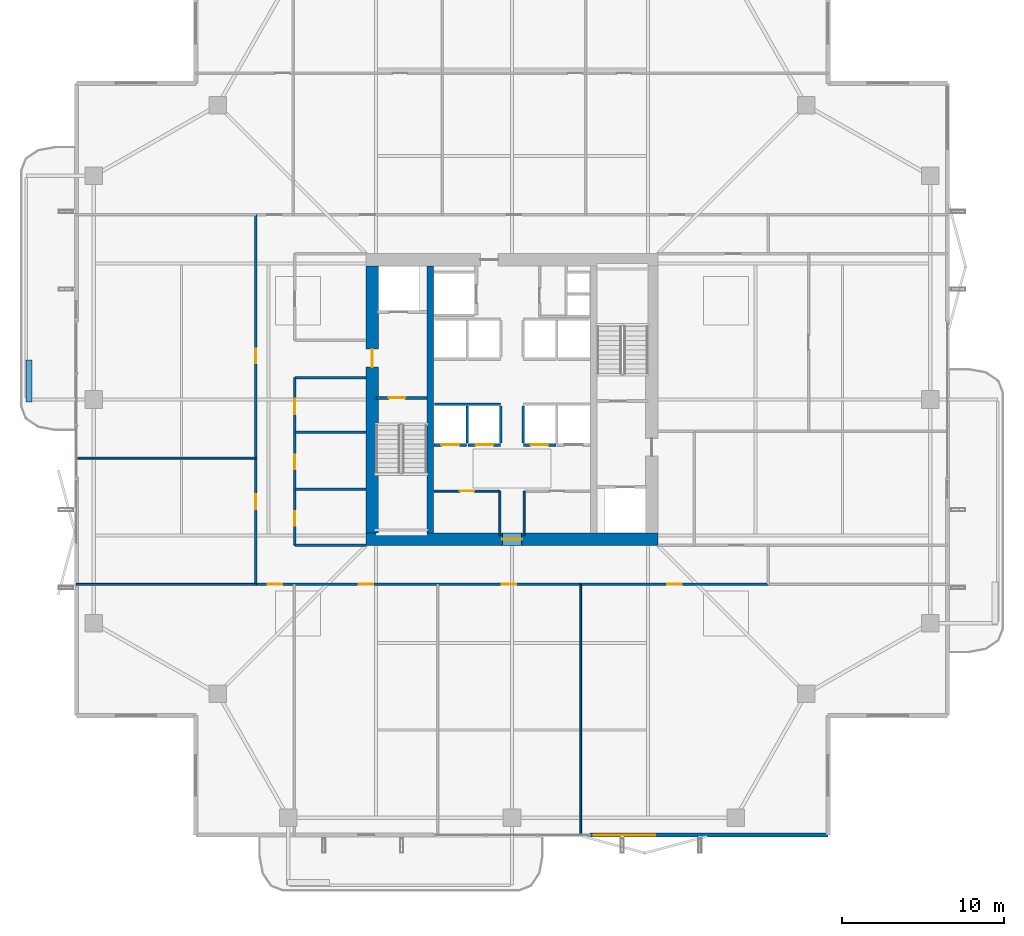
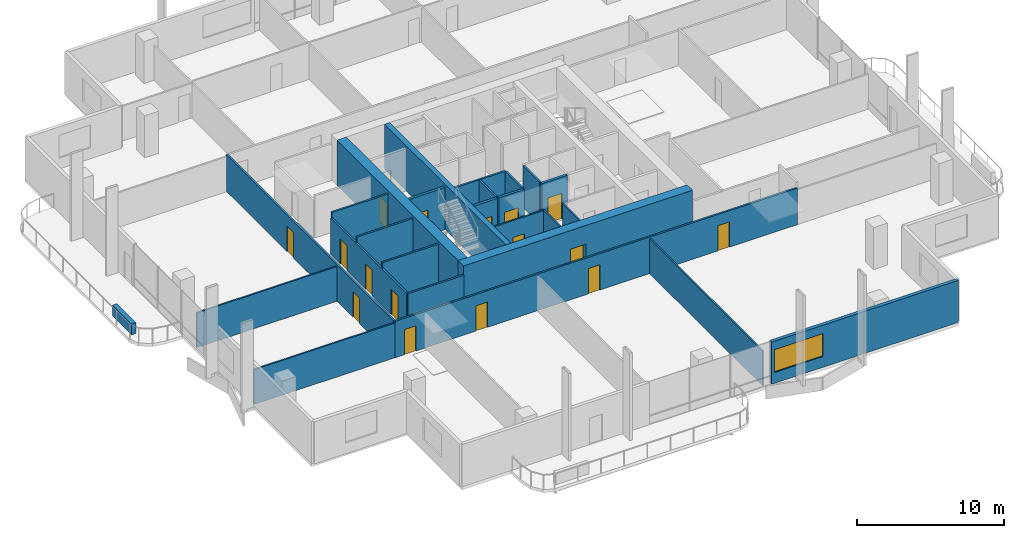
# One storey, part 17 of 24: 26 walls, 16 doors, 1 window, 17 openings.
"""IFC4 building model written with IfcOpenShell, lengths in metres."""

from ifc_helpers import new_model, si_unit, direction, frame, frame_2d, origin, place, context, subcontext, project, spatial, rectangle, extrude, material, layer, layer_set, type_object, element, fill, save


model = new_model("IFC4")

# Units and contexts
model_context = context("Model", 3, precision=1e-05, world=origin(), true_north=direction((0.0, 1.0)))
body_context = subcontext(model_context, "Body", "Model", "MODEL_VIEW")
ifc_project = project(units=[si_unit("LENGTHUNIT", "METRE"), si_unit("AREAUNIT", "SQUARE_METRE"), si_unit("VOLUMEUNIT", "CUBIC_METRE"), si_unit("PLANEANGLEUNIT", "RADIAN"), si_unit("MASSUNIT", "GRAM", prefix="KILO")], contexts=[model_context])

# Site, building, storey
site_placement = place(None, origin())
site = spatial("IfcSite", under=ifc_project, at=site_placement, CompositionType="ELEMENT")
building_placement = place(site_placement, origin())
building = spatial("IfcBuilding", under=site, at=building_placement, Name="Belovzor Exchange Tower", CompositionType="ELEMENT")
storey_placement = place(building_placement, frame((0.0, 0.0, 218.699951171875)))
storey = spatial("IfcBuildingStorey", under=building, at=storey_placement, Name="L54", CompositionType="ELEMENT", Elevation=218.699951171875)

# Walls
ifc_material_1 = material(Name="Acoustic Plasterboard on Galvanised Studs", Category="gypsum")
ifc_layer_1 = layer(ifc_material_1, 0.1201171875)
ifc_layer_set_1 = layer_set([ifc_layer_1], Name="Acoustic Plasterboard on Galvanised Studs")
wall_type_1 = type_object("IfcWallType", Name="Acoustic Double-Stud Partition Wall 120", PredefinedType="PARTITIONING", material=ifc_layer_set_1)
wall_1_placement = place(storey_placement, frame((33.0400390625, 1.929931640625, 0.0), z_axis=(0.0, 0.0, 1.0), x_axis=(0.0, 1.0, 0.0)))
element("IfcWall", 1, at=wall_1_placement, inside=storey, type_object=wall_type_1, Name="W-P120 Partition Wall W-L54-SDIV-3", PredefinedType="PARTITIONING", context=body_context, shape_type="SweptSolid", body=[
    extrude(rectangle(XDim=15.469970703125, YDim=0.1201171875, at=frame_2d((7.73486328125, 0.0))), origin(), (0.0, 0.0, 1.0), 2.885009765625),
])
for number, where, z_axis, x_axis, name in (
    (2, (1.929931640625, 25.181884765625, 0.0), (0.0, 0.0, 1.0), (1.0, 0.0, 0.0), "W-P120 Partition Wall W-L54-WDIV-1"),
    (3, (1.929931640625, 17.39990234375, 0.0), (0.0, 0.0, 1.0), (1.0, 0.0, 0.0), "W-P120 Partition Wall W-L54-END-SW"),
):
    element("IfcWall", number, at=place(storey_placement, frame(where, z_axis=z_axis, x_axis=x_axis)), inside=storey, type_object=wall_type_1, Name=name, PredefinedType="PARTITIONING", context=body_context, shape_type="SweptSolid", body=[
        extrude(rectangle(XDim=11.070068359375, YDim=0.1201171875, at=frame_2d((5.53515625, 0.0))), origin(), (0.0, 0.0, 1.0), 2.885009765625),
    ])

# Wall, opening, door
ifc_material_2 = material(Name="Fire-Rated Plasterboard on Galvanised Studs", Category="gypsum")
ifc_layer_2 = layer(ifc_material_2, 0.1201171875)
ifc_layer_set_2 = layer_set([ifc_layer_2], Name="Fire-Rated Plasterboard on Galvanised Studs")
wall_type_2 = type_object("IfcWallType", Name="Fire-Rated Double-Stud Partition Wall 120", PredefinedType="PARTITIONING", material=ifc_layer_set_2)
wall_2_placement = place(storey_placement, frame((24.0, 23.14990234375, 0.0), z_axis=(0.0, 0.0, 1.0), x_axis=(1.0, 0.0, 0.0)))
wall_2 = element("IfcWall", 4, at=wall_2_placement, inside=storey, type_object=wall_type_2, Name="W-P120F Partition Wall W-CRL-L54-WN", PredefinedType="PARTITIONING", context=body_context, shape_type="SweptSolid", body=[
    extrude(rectangle(XDim=4.050048828125, YDim=0.1201171875, at=frame_2d((2.02490234375, 0.0))), origin(), (0.0, 0.0, 1.0), 3.5),
])
opening_1_placement = place(wall_2_placement, frame((1.574951171875, 0.0, 0.0)))
opening_1 = element("IfcOpeningElement", 5, at=opening_1_placement, cuts=wall_2, Name="Opening D-FD60-090", PredefinedType="OPENING", context=body_context, shape_type="SweptSolid", body=[
    extrude(rectangle(XDim=0.89990234375, YDim=2.10009765625, at=frame_2d((0.449951171875, 1.050048828125))), frame((0.0, 0.070068359375, 0.0), z_axis=(0.0, -1.0, 0.0), x_axis=(1.0, 0.0, 0.0)), (0.0, 0.0, 1.0), 0.14013671875),
])
ifc_material_3 = material(Name="Acoustic Timber Fire Leaf", Category="wood")
door_type_1 = type_object("IfcDoorType", Name="Core Service & Restroom Fire Door 900x2100", OperationType="NOTDEFINED", PredefinedType="DOOR", material=ifc_material_3)
door_1_placement = place(opening_1_placement, origin())
door_1 = element("IfcDoor", 6, at=door_1_placement, inside=storey, type_object=door_type_1, Name="D-FD60-090 Core Service & Restroom Fire Door 900x2100", OperationType="SINGLE_SWING_LEFT", OverallHeight=2.10009765625, OverallWidth=0.89990234375, PredefinedType="DOOR", context=body_context, shape_type="SweptSolid", body=[
    extrude(rectangle(XDim=0.89990234375, YDim=2.10009765625, at=frame_2d((0.449951171875, 1.050048828125))), frame((0.0, 0.02490234375, 0.0), z_axis=(0.0, -1.0, 0.0), x_axis=(1.0, 0.0, 0.0)), (0.0, 0.0, 1.0), 0.050048828125),
])
fill(opening_1, door_1)

# Walls
for number, where, z_axis, x_axis, name in (
    (7, (28.050048828125, 20.39990234375, 0.0), (0.0, 0.0, 1.0), (0.0, 1.0, 0.0), "W-P120F Partition Wall W-CRL-L54-WE"),
    (8, (29.550048828125, 20.39990234375, 0.0), (0.0, 0.0, 1.0), (0.0, 1.0, 0.0), "W-P120F Partition Wall W-CRL-L54-EW"),
):
    element("IfcWall", number, at=place(storey_placement, frame(where, z_axis=z_axis, x_axis=x_axis)), inside=storey, type_object=wall_type_2, Name=name, PredefinedType="PARTITIONING", context=body_context, shape_type="SweptSolid", body=[
        extrude(rectangle(XDim=2.75, YDim=0.1201171875, at=frame_2d((1.375, 0.0))), origin(), (0.0, 0.0, 1.0), 3.5),
    ])
ifc_material_4 = material(Name="Fire-Rated Gypsum Block and Mineral Wool", Category="gypsum")
ifc_layer_3 = layer(ifc_material_4, 0.14990234375)
ifc_layer_set_3 = layer_set([ifc_layer_3], Name="Fire-Rated Gypsum Block and Mineral Wool")
wall_type_3 = type_object("IfcWallType", Name="Fire-Rated Gypsum Block Corridor Wall 150", PredefinedType="PARTITIONING", material=ifc_layer_set_3)
wall_3_placement = place(storey_placement, frame((15.39990234375, 19.800048828125, 0.0), z_axis=(0.0, 0.0, 1.0), x_axis=(1.0, 0.0, 0.0)))
element("IfcWall", 9, at=wall_3_placement, inside=storey, type_object=wall_type_3, Name="W-P150 Partition Wall W-L54-WIC-S", PredefinedType="PARTITIONING", context=body_context, shape_type="SweptSolid", body=[
    extrude(rectangle(XDim=4.400146484375, YDim=0.14990234375, at=frame_2d((2.2001953125, 0.0))), origin(), (0.0, 0.0, 1.0), 3.03515625),
])
for number, where, z_axis, x_axis, name in (
    (10, (15.39990234375, 23.27490234375, 0.0), (0.0, 0.0, 1.0), (1.0, 0.0, 0.0), "W-P150 Partition Wall W-L54-WIC-D1"),
    (11, (15.39990234375, 26.77490234375, 0.0), (0.0, 0.0, 1.0), (1.0, 0.0, 0.0), "W-P150 Partition Wall W-L54-WIC-D2"),
    (12, (15.39990234375, 30.14990234375, 0.0), (0.0, 0.0, 1.0), (1.0, 0.0, 0.0), "W-P150 Partition Wall W-L54-WIC-N"),
):
    element("IfcWall", number, at=place(storey_placement, frame(where, z_axis=z_axis, x_axis=x_axis)), inside=storey, type_object=wall_type_3, Name=name, PredefinedType="PARTITIONING", context=body_context, shape_type="SweptSolid", body=[
        extrude(rectangle(XDim=4.400146484375, YDim=0.14990234375, at=frame_2d((2.2001953125, 0.0))), origin(), (0.0, 0.0, 1.0), 3.5),
    ])

# Wall, openings, doors
wall_4_placement = place(storey_placement, frame((15.39990234375, 19.800048828125, 0.0), z_axis=(0.0, 0.0, 1.0), x_axis=(0.0, 1.0, 0.0)))
wall_4 = element("IfcWall", 13, at=wall_4_placement, inside=storey, type_object=wall_type_3, Name="W-P150 Partition Wall W-L54-WIE-S", PredefinedType="PARTITIONING", context=body_context, shape_type="SweptSolid", body=[
    extrude(rectangle(XDim=10.349853515625, YDim=0.14990234375, at=frame_2d((5.1748046875, 0.0))), origin(), (0.0, 0.0, 1.0), 3.03515625),
])
opening_2_placement = place(wall_4_placement, frame((1.199951171875, 0.0, 0.0)))
opening_2 = element("IfcOpeningElement", 14, at=opening_2_placement, cuts=wall_4, Name="Opening D-FD60-090", PredefinedType="OPENING", context=body_context, shape_type="SweptSolid", body=[
    extrude(rectangle(XDim=0.89990234375, YDim=2.10009765625, at=frame_2d((0.449951171875, 1.050048828125))), frame((0.0, 0.0849609375, 0.0), z_axis=(0.0, -1.0, 0.0), x_axis=(1.0, 0.0, 0.0)), (0.0, 0.0, 1.0), 0.169921875),
])
opening_3_placement = place(wall_4_placement, frame((4.699951171875, 0.0, 0.0)))
opening_3 = element("IfcOpeningElement", 15, at=opening_3_placement, cuts=wall_4, Name="Opening D-FD60-090", PredefinedType="OPENING", context=body_context, shape_type="SweptSolid", body=[
    extrude(rectangle(XDim=0.89990234375, YDim=2.10009765625, at=frame_2d((0.449951171875, 1.050048828125))), frame((0.0, 0.0849609375, 0.0), z_axis=(0.0, -1.0, 0.0), x_axis=(1.0, 0.0, 0.0)), (0.0, 0.0, 1.0), 0.169921875),
])
opening_4_placement = place(wall_4_placement, frame((8.10009765625, 0.0, 0.0)))
opening_4 = element("IfcOpeningElement", 16, at=opening_4_placement, cuts=wall_4, Name="Opening D-FD60-095", PredefinedType="OPENING", context=body_context, shape_type="SweptSolid", body=[
    extrude(rectangle(XDim=0.949951171875, YDim=2.10009765625, at=frame_2d((0.47509765625, 1.050048828125))), frame((0.0, 0.0849609375, 0.0), z_axis=(0.0, -1.0, 0.0), x_axis=(1.0, 0.0, 0.0)), (0.0, 0.0, 1.0), 0.169921875),
])
ifc_material_5 = material(Name="Moisture-Resistant Timber Fire Leaf", Category="wood")
door_type_2 = type_object("IfcDoorType", Name="Accessible Restroom Wide Fire Door 950x2100", OperationType="NOTDEFINED", PredefinedType="DOOR", material=ifc_material_5)
door_2_placement = place(opening_4_placement, origin())
door_2 = element("IfcDoor", 17, at=door_2_placement, inside=storey, type_object=door_type_2, Name="D-FD60-095 Accessible Restroom Wide Fire Door 950x2100", OperationType="SINGLE_SWING_LEFT", OverallHeight=2.10009765625, OverallWidth=0.949951171875, PredefinedType="DOOR", context=body_context, shape_type="SweptSolid", body=[
    extrude(rectangle(XDim=0.949951171875, YDim=2.10009765625, at=frame_2d((0.47509765625, 1.050048828125))), frame((0.0, 0.02490234375, 0.0), z_axis=(0.0, -1.0, 0.0), x_axis=(1.0, 0.0, 0.0)), (0.0, 0.0, 1.0), 0.050048828125),
])
fill(opening_4, door_2)
door_3_placement = place(opening_2_placement, origin())
door_3 = element("IfcDoor", 18, at=door_3_placement, inside=storey, type_object=door_type_1, Name="D-FD60-090 Core Service & Restroom Fire Door 900x2100", OperationType="SINGLE_SWING_LEFT", OverallHeight=2.10009765625, OverallWidth=0.89990234375, PredefinedType="DOOR", context=body_context, shape_type="SweptSolid", body=[
    extrude(rectangle(XDim=0.89990234375, YDim=2.10009765625, at=frame_2d((0.449951171875, 1.050048828125))), frame((0.0, 0.02490234375, 0.0), z_axis=(0.0, -1.0, 0.0), x_axis=(1.0, 0.0, 0.0)), (0.0, 0.0, 1.0), 0.050048828125),
])
fill(opening_2, door_3)
door_4_placement = place(opening_3_placement, origin())
door_4 = element("IfcDoor", 19, at=door_4_placement, inside=storey, type_object=door_type_1, Name="D-FD60-090 Core Service & Restroom Fire Door 900x2100", OperationType="SINGLE_SWING_RIGHT", OverallHeight=2.10009765625, OverallWidth=0.89990234375, PredefinedType="DOOR", context=body_context, shape_type="SweptSolid", body=[
    extrude(rectangle(XDim=0.89990234375, YDim=2.10009765625, at=frame_2d((0.449951171875, 1.050048828125))), frame((0.0, 0.02490234375, 0.0), z_axis=(0.0, -1.0, 0.0), x_axis=(1.0, 0.0, 0.0)), (0.0, 0.0, 1.0), 0.050048828125),
])
fill(opening_3, door_4)

wall_5_placement = place(storey_placement, frame((13.0, 17.39990234375, 0.0), z_axis=(0.0, 0.0, 1.0), x_axis=(1.0, 0.0, 0.0)))
wall_5 = element("IfcWall", 20, at=wall_5_placement, inside=storey, type_object=wall_type_3, Name="W-P150 Partition Wall W-L54-CS", PredefinedType="PARTITIONING", context=body_context, shape_type="SweptSolid", body=[
    extrude(rectangle(XDim=31.60009765625, YDim=0.14990234375, at=frame_2d((15.800048828125, 0.0))), origin(), (0.0, 0.0, 1.0), 3.03515625),
])
opening_5_placement = place(wall_5_placement, frame((0.739013671875, 0.0, 0.0)))
opening_5 = element("IfcOpeningElement", 21, at=opening_5_placement, cuts=wall_5, Name="Opening D-INT-090", PredefinedType="OPENING", context=body_context, shape_type="SweptSolid", body=[
    extrude(rectangle(XDim=0.89990234375, YDim=2.10009765625, at=frame_2d((0.449951171875, 1.050048828125))), frame((0.0, 0.0849609375, 0.0), z_axis=(0.0, -1.0, 0.0), x_axis=(1.0, 0.0, 0.0)), (0.0, 0.0, 1.0), 0.169921875),
])
opening_6_placement = place(wall_5_placement, frame((6.343994140625, 0.0, 0.0)))
opening_6 = element("IfcOpeningElement", 22, at=opening_6_placement, cuts=wall_5, Name="Opening D-INT-090", PredefinedType="OPENING", context=body_context, shape_type="SweptSolid", body=[
    extrude(rectangle(XDim=0.89990234375, YDim=2.10009765625, at=frame_2d((0.449951171875, 1.050048828125))), frame((0.0, 0.0849609375, 0.0), z_axis=(0.0, -1.0, 0.0), x_axis=(1.0, 0.0, 0.0)), (0.0, 0.0, 1.0), 0.169921875),
])
opening_7_placement = place(wall_5_placement, frame((15.174072265625, 0.0, 0.0)))
opening_7 = element("IfcOpeningElement", 23, at=opening_7_placement, cuts=wall_5, Name="Opening D-INT-090", PredefinedType="OPENING", context=body_context, shape_type="SweptSolid", body=[
    extrude(rectangle(XDim=0.89990234375, YDim=2.10009765625, at=frame_2d((0.449951171875, 1.050048828125))), frame((0.0, 0.0849609375, 0.0), z_axis=(0.0, -1.0, 0.0), x_axis=(1.0, 0.0, 0.0)), (0.0, 0.0, 1.0), 0.169921875),
])
opening_8_placement = place(wall_5_placement, frame((25.3701171875, 0.0, 0.0)))
opening_8 = element("IfcOpeningElement", 24, at=opening_8_placement, cuts=wall_5, Name="Opening D-INT-090", PredefinedType="OPENING", context=body_context, shape_type="SweptSolid", body=[
    extrude(rectangle(XDim=0.89990234375, YDim=2.10009765625, at=frame_2d((0.449951171875, 1.050048828125))), frame((0.0, 0.0849609375, 0.0), z_axis=(0.0, -1.0, 0.0), x_axis=(1.0, 0.0, 0.0)), (0.0, 0.0, 1.0), 0.169921875),
])
ifc_material_6 = material(Name="Veneered Hardwood Acoustic Leaf", Category="wood")
door_type_3 = type_object("IfcDoorType", Name="Trading Suite Acoustic Single Door 900x2100", OperationType="NOTDEFINED", PredefinedType="DOOR", material=ifc_material_6)
door_5_placement = place(opening_5_placement, origin())
door_5 = element("IfcDoor", 25, at=door_5_placement, inside=storey, type_object=door_type_3, Name="D-INT-090 Trading Suite Acoustic Single Door 900x2100", OperationType="SINGLE_SWING_LEFT", OverallHeight=2.10009765625, OverallWidth=0.89990234375, PredefinedType="DOOR", context=body_context, shape_type="SweptSolid", body=[
    extrude(rectangle(XDim=0.89990234375, YDim=2.10009765625, at=frame_2d((0.449951171875, 1.050048828125))), frame((0.0, 0.02490234375, 0.0), z_axis=(0.0, -1.0, 0.0), x_axis=(1.0, 0.0, 0.0)), (0.0, 0.0, 1.0), 0.050048828125),
])
fill(opening_5, door_5)
door_6_placement = place(opening_6_placement, origin())
door_6 = element("IfcDoor", 26, at=door_6_placement, inside=storey, type_object=door_type_3, Name="D-INT-090 Trading Suite Acoustic Single Door 900x2100", OperationType="SINGLE_SWING_RIGHT", OverallHeight=2.10009765625, OverallWidth=0.89990234375, PredefinedType="DOOR", context=body_context, shape_type="SweptSolid", body=[
    extrude(rectangle(XDim=0.89990234375, YDim=2.10009765625, at=frame_2d((0.449951171875, 1.050048828125))), frame((0.0, 0.02490234375, 0.0), z_axis=(0.0, -1.0, 0.0), x_axis=(1.0, 0.0, 0.0)), (0.0, 0.0, 1.0), 0.050048828125),
])
fill(opening_6, door_6)
door_7_placement = place(opening_7_placement, origin())
door_7 = element("IfcDoor", 27, at=door_7_placement, inside=storey, type_object=door_type_3, Name="D-INT-090 Trading Suite Acoustic Single Door 900x2100", OperationType="SINGLE_SWING_LEFT", OverallHeight=2.10009765625, OverallWidth=0.89990234375, PredefinedType="DOOR", context=body_context, shape_type="SweptSolid", body=[
    extrude(rectangle(XDim=0.89990234375, YDim=2.10009765625, at=frame_2d((0.449951171875, 1.050048828125))), frame((0.0, 0.02490234375, 0.0), z_axis=(0.0, -1.0, 0.0), x_axis=(1.0, 0.0, 0.0)), (0.0, 0.0, 1.0), 0.050048828125),
])
fill(opening_7, door_7)
door_8_placement = place(opening_8_placement, origin())
door_8 = element("IfcDoor", 28, at=door_8_placement, inside=storey, type_object=door_type_3, Name="D-INT-090 Trading Suite Acoustic Single Door 900x2100", OperationType="SINGLE_SWING_RIGHT", OverallHeight=2.10009765625, OverallWidth=0.89990234375, PredefinedType="DOOR", context=body_context, shape_type="SweptSolid", body=[
    extrude(rectangle(XDim=0.89990234375, YDim=2.10009765625, at=frame_2d((0.449951171875, 1.050048828125))), frame((0.0, 0.02490234375, 0.0), z_axis=(0.0, -1.0, 0.0), x_axis=(1.0, 0.0, 0.0)), (0.0, 0.0, 1.0), 0.050048828125),
])
fill(opening_8, door_8)

wall_6_placement = place(storey_placement, frame((13.0, 17.39990234375, 0.0), z_axis=(0.0, 0.0, 1.0), x_axis=(0.0, 1.0, 0.0)))
wall_6 = element("IfcWall", 29, at=wall_6_placement, inside=storey, type_object=wall_type_3, Name="W-P150 Partition Wall W-L54-CWO", PredefinedType="PARTITIONING", context=body_context, shape_type="SweptSolid", body=[
    extrude(rectangle(XDim=22.800048828125, YDim=0.14990234375, at=frame_2d((11.39990234375, 0.0))), origin(), (0.0, 0.0, 1.0), 3.03515625),
])
opening_9_placement = place(wall_6_placement, frame((4.64111328125, 0.0, 0.0)))
opening_9 = element("IfcOpeningElement", 30, at=opening_9_placement, cuts=wall_6, Name="Opening D-INT-090", PredefinedType="OPENING", context=body_context, shape_type="SweptSolid", body=[
    extrude(rectangle(XDim=0.89990234375, YDim=2.10009765625, at=frame_2d((0.449951171875, 1.050048828125))), frame((0.0, 0.0849609375, 0.0), z_axis=(0.0, -1.0, 0.0), x_axis=(1.0, 0.0, 0.0)), (0.0, 0.0, 1.0), 0.169921875),
])
opening_10_placement = place(wall_6_placement, frame((13.64111328125, 0.0, 0.0)))
opening_10 = element("IfcOpeningElement", 31, at=opening_10_placement, cuts=wall_6, Name="Opening D-INT-090", PredefinedType="OPENING", context=body_context, shape_type="SweptSolid", body=[
    extrude(rectangle(XDim=0.89990234375, YDim=2.10009765625, at=frame_2d((0.449951171875, 1.050048828125))), frame((0.0, 0.0849609375, 0.0), z_axis=(0.0, -1.0, 0.0), x_axis=(1.0, 0.0, 0.0)), (0.0, 0.0, 1.0), 0.169921875),
])
door_9_placement = place(opening_9_placement, origin())
door_9 = element("IfcDoor", 32, at=door_9_placement, inside=storey, type_object=door_type_3, Name="D-INT-090 Trading Suite Acoustic Single Door 900x2100", OperationType="SINGLE_SWING_LEFT", OverallHeight=2.10009765625, OverallWidth=0.89990234375, PredefinedType="DOOR", context=body_context, shape_type="SweptSolid", body=[
    extrude(rectangle(XDim=0.89990234375, YDim=2.10009765625, at=frame_2d((0.449951171875, 1.050048828125))), frame((0.0, 0.02490234375, 0.0), z_axis=(0.0, -1.0, 0.0), x_axis=(1.0, 0.0, 0.0)), (0.0, 0.0, 1.0), 0.050048828125),
])
fill(opening_9, door_9)
door_10_placement = place(opening_10_placement, origin())
door_10 = element("IfcDoor", 33, at=door_10_placement, inside=storey, type_object=door_type_3, Name="D-INT-090 Trading Suite Acoustic Single Door 900x2100", OperationType="SINGLE_SWING_LEFT", OverallHeight=2.10009765625, OverallWidth=0.89990234375, PredefinedType="DOOR", context=body_context, shape_type="SweptSolid", body=[
    extrude(rectangle(XDim=0.89990234375, YDim=2.10009765625, at=frame_2d((0.449951171875, 1.050048828125))), frame((0.0, 0.02490234375, 0.0), z_axis=(0.0, -1.0, 0.0), x_axis=(1.0, 0.0, 0.0)), (0.0, 0.0, 1.0), 0.050048828125),
])
fill(opening_10, door_10)

# Wall, opening, window
ifc_material_7 = material(Name="Precast concrete C40/50", Category="concrete")
ifc_layer_4 = layer(ifc_material_7, 0.260009765625)
ifc_layer_set_4 = layer_set([ifc_layer_4], Name="Precast concrete C40/50")
wall_type_4 = type_object("IfcWallType", Name="Precast Concrete Perimeter Loggia Frame Wall 260", PredefinedType="SOLIDWALL", material=ifc_layer_set_4)
wall_7_placement = place(storey_placement, frame((48.300048828125, 1.929931640625, 0.0), z_axis=(0.0, 0.0, 1.0), x_axis=(-1.0, 0.0, 0.0)))
wall_7 = element("IfcWall", 34, at=wall_7_placement, inside=storey, type_object=wall_type_4, Name="W-EXT260 Precast Concrete Perimeter Loggia Frame Wall 260 L54", PredefinedType="SOLIDWALL", context=body_context, shape_type="SweptSolid", body=[
    extrude(rectangle(XDim=14.699951171875, YDim=0.260009765625, at=frame_2d((7.35009765625, 0.0))), origin(), (0.0, 0.0, 1.0), 3.5),
])
opening_11_placement = place(wall_7_placement, frame((10.64990234375, 0.0, 0.89990234375)))
opening_11 = element("IfcOpeningElement", 35, at=opening_11_placement, cuts=wall_7, Name="Opening WN-RIB380", PredefinedType="OPENING", context=body_context, shape_type="SweptSolid", body=[
    extrude(rectangle(XDim=3.800048828125, YDim=1.89990234375, at=frame_2d((1.89990234375, 0.949951171875))), frame((0.0, 0.139892578125, 0.0), z_axis=(0.0, -1.0, 0.0), x_axis=(1.0, 0.0, 0.0)), (0.0, 0.0, 1.0), 0.280029296875),
])
ifc_material_8 = material(Name="Thermally Broken Aluminium and Triple Glazing", Category="aluminium")
window_type = type_object("IfcWindowType", Name="Streamline Moderne Horizontal Ribbon Window 3800x1900", PartitioningType="SINGLE_PANEL", PredefinedType="WINDOW", material=ifc_material_8)
window_placement = place(opening_11_placement, origin())
window = element("IfcWindow", 36, at=window_placement, inside=storey, type_object=window_type, Name="WN-RIB380 Streamline Moderne Horizontal Ribbon Window 3800x1900", OverallHeight=1.89990234375, OverallWidth=3.800048828125, PartitioningType="SINGLE_PANEL", PredefinedType="WINDOW", context=body_context, shape_type="SweptSolid", body=[
    extrude(rectangle(XDim=3.800048828125, YDim=1.89990234375, at=frame_2d((1.89990234375, 0.949951171875))), frame((0.0, 0.030029296875, 0.0), z_axis=(0.0, -1.0, 0.0), x_axis=(1.0, 0.0, 0.0)), (0.0, 0.0, 1.0), 0.06005859375),
])
fill(opening_11, window)

# Walls
ifc_material_9 = material(Name="Precast concrete C40/50", Category="concrete")
ifc_layer_5 = layer(ifc_material_9, 0.35009765625)
ifc_layer_set_5 = layer_set([ifc_layer_5], Name="Precast concrete C40/50")
wall_type_5 = type_object("IfcWallType", Name="Precast Concrete Structural Tree Planter Trough 350", PredefinedType="PARAPET", material=ifc_layer_set_5)
wall_8_placement = place(storey_placement, frame((-1.0, 28.64990234375, 0.0), z_axis=(0.0, 0.0, 1.0), x_axis=(0.0, 1.0, 0.0)))
element("IfcWall", 37, at=wall_8_placement, inside=storey, type_object=wall_type_5, Name="PT-350 Precast Concrete Structural Tree Planter Trough 350 L54", PredefinedType="PARAPET", context=body_context, shape_type="SweptSolid", body=[
    extrude(rectangle(XDim=2.60009765625, YDim=0.35009765625, at=frame_2d((1.300048828125, 0.0))), origin(), (0.0, 0.0, 1.0), 0.900146484375),
])
ifc_material_10 = material(Name="Concrete C50/60", Category="concrete")
ifc_layer_6 = layer(ifc_material_10, 0.39990234375)
ifc_layer_set_6 = layer_set([ifc_layer_6], Name="Concrete C50/60")
wall_type_6 = type_object("IfcWallType", Name="Reinforced Concrete Core Internal Web Wall 400", PredefinedType="SHEAR", material=ifc_layer_set_6)
wall_9_placement = place(storey_placement, frame((23.75, 20.550048828125, 0.0), z_axis=(0.0, 0.0, 1.0), x_axis=(0.0, 1.0, 0.0)))
element("IfcWall", 38, at=wall_9_placement, inside=storey, type_object=wall_type_6, Name="CW-W040 Core Internal Web Wall L54 WL", PredefinedType="SHEAR", context=body_context, shape_type="SweptSolid", body=[
    extrude(rectangle(XDim=16.5, YDim=0.39990234375, at=frame_2d((8.25, 0.0))), origin(), (0.0, 0.0, 1.0), 3.75),
])
ifc_material_11 = material(Name="Concrete C50/60", Category="concrete")
ifc_layer_7 = layer(ifc_material_11, 0.14990234375)
ifc_layer_set_7 = layer_set([ifc_layer_7], Name="Concrete C50/60")
wall_type_7 = type_object("IfcWallType", Name="Reinforced Concrete Core Riser Shear Wall 150", PredefinedType="SHEAR", material=ifc_layer_set_7)
wall_10_placement = place(storey_placement, frame((24.02001953125, 28.5, 0.0), z_axis=(0.0, 0.0, 1.0), x_axis=(1.0, 0.0, 0.0)))
element("IfcWall", 39, at=wall_10_placement, inside=storey, type_object=wall_type_7, Name="W-C150S Core Shaft Wall W-SHB-L54-PLM-NW", PredefinedType="SHEAR", context=body_context, shape_type="SweptSolid", body=[
    extrude(rectangle(XDim=4.080078125, YDim=0.14990234375, at=frame_2d((2.0400390625, 0.0))), origin(), (0.0, 0.0, 1.0), 3.5),
])
for number, where, z_axis, x_axis, name in (
    (40, (26.050048828125, 26.1201171875, 0.0), (0.0, 0.0, 1.0), (0.0, 1.0, 0.0), "W-C150S Core Shaft Wall W-SHD-L54-PLM-1"),
    (41, (28.10009765625, 26.1201171875, 0.0), (0.0, 0.0, 1.0), (0.0, 1.0, 0.0), "W-C150S Core Shaft Wall W-SHD-L54-PLM-2"),
    (42, (29.5, 26.1201171875, 0.0), (0.0, 0.0, 1.0), (0.0, 1.0, 0.0), "W-C150S Core Shaft Wall W-SHD-L54-PLM-3"),
):
    element("IfcWall", number, at=place(storey_placement, frame(where, z_axis=z_axis, x_axis=x_axis)), inside=storey, type_object=wall_type_7, Name=name, PredefinedType="SHEAR", context=body_context, shape_type="SweptSolid", body=[
        extrude(rectangle(XDim=2.27978515625, YDim=0.14990234375, at=frame_2d((1.139892578125, 0.0))), origin(), (0.0, 0.0, 1.0), 3.5),
    ])

# Wall, opening, door
ifc_material_12 = material(Name="Concrete C50/60", Category="concrete")
ifc_layer_8 = layer(ifc_material_12, 0.199951171875)
ifc_layer_set_8 = layer_set([ifc_layer_8], Name="Concrete C50/60")
wall_type_8 = type_object("IfcWallType", Name="Reinforced Concrete Core Shaft Shear Wall 200", PredefinedType="SHEAR", material=ifc_layer_set_8)
wall_11_placement = place(storey_placement, frame((20.39990234375, 28.89990234375, 0.0), z_axis=(0.0, 0.0, 1.0), x_axis=(1.0, 0.0, 0.0)))
wall_11 = element("IfcWall", 43, at=wall_11_placement, inside=storey, type_object=wall_type_8, Name="W-C200S Core Shaft Wall W-CORE-L54-FFLW1", PredefinedType="SHEAR", context=body_context, shape_type="SweptSolid", body=[
    extrude(rectangle(XDim=3.150146484375, YDim=0.199951171875, at=frame_2d((1.5751953125, 0.0))), origin(), (0.0, 0.0, 1.0), 3.5),
])
opening_12_placement = place(wall_11_placement, frame((0.800048828125, 0.0, 0.0)))
opening_12 = element("IfcOpeningElement", 44, at=opening_12_placement, cuts=wall_11, Name="Opening D-FD90-100", PredefinedType="OPENING", context=body_context, shape_type="SweptSolid", body=[
    extrude(rectangle(XDim=1.0, YDim=2.10009765625, at=frame_2d((0.5, 1.050048828125))), frame((0.0, 0.10986328125, 0.0), z_axis=(0.0, -1.0, 0.0), x_axis=(1.0, 0.0, 0.0)), (0.0, 0.0, 1.0), 0.219970703125),
])
ifc_material_13 = material(Name="Fire-Rated Galvanised Steel Leaf", Category="steel")
door_type_4 = type_object("IfcDoorType", Name="Protected Stairwell Single Fire Door 1000x2100", OperationType="NOTDEFINED", PredefinedType="DOOR", material=ifc_material_13)
door_11_placement = place(opening_12_placement, origin())
door_11 = element("IfcDoor", 45, at=door_11_placement, inside=storey, type_object=door_type_4, Name="D-FD90-100 Protected Stairwell Single Fire Door 1000x2100", OperationType="SINGLE_SWING_RIGHT", OverallHeight=2.10009765625, OverallWidth=1.0, PredefinedType="DOOR", context=body_context, shape_type="SweptSolid", body=[
    extrude(rectangle(XDim=1.0, YDim=2.10009765625, at=frame_2d((0.5, 1.050048828125))), frame((0.0, 0.02490234375, 0.0), z_axis=(0.0, -1.0, 0.0), x_axis=(1.0, 0.0, 0.0)), (0.0, 0.0, 1.0), 0.050048828125),
])
fill(opening_12, door_11)

wall_12_placement = place(storey_placement, frame((24.0, 26.0, 0.0), z_axis=(0.0, 0.0, 1.0), x_axis=(1.0, 0.0, 0.0)))
wall_12 = element("IfcWall", 46, at=wall_12_placement, inside=storey, type_object=wall_type_8, Name="W-C200S Core Shaft Wall W-SH-L54-PL-M1", PredefinedType="SHEAR", context=body_context, shape_type="SweptSolid", body=[
    extrude(rectangle(XDim=2.0, YDim=0.199951171875, at=frame_2d((1.0, 0.0))), origin(), (0.0, 0.0, 1.0), 3.5),
])
opening_13_placement = place(wall_12_placement, frame((0.449951171875, 0.0, 0.0)))
opening_13 = element("IfcOpeningElement", 47, at=opening_13_placement, cuts=wall_12, Name="Opening LD-110", PredefinedType="OPENING", context=body_context, shape_type="SweptSolid", body=[
    extrude(rectangle(XDim=1.10009765625, YDim=2.14990234375, at=frame_2d((0.550048828125, 1.074951171875))), frame((0.0, 0.10986328125, 0.0), z_axis=(0.0, -1.0, 0.0), x_axis=(1.0, 0.0, 0.0)), (0.0, 0.0, 1.0), 0.219970703125),
])
ifc_material_14 = material(Name="Stainless Steel Grade 304", Category="steel")
door_type_5 = type_object("IfcDoorType", Name="Automated Stainless Steel Lift Landing Door 1100x2150", OperationType="SLIDING_TO_RIGHT", PredefinedType="DOOR", material=ifc_material_14)
door_12_placement = place(opening_13_placement, origin())
door_12 = element("IfcDoor", 48, at=door_12_placement, inside=storey, type_object=door_type_5, Name="LD-110 Automated Stainless Steel Lift Landing Door 1100x2150", OperationType="SLIDING_TO_RIGHT", OverallHeight=2.14990234375, OverallWidth=1.10009765625, PredefinedType="DOOR", context=body_context, shape_type="SweptSolid", body=[
    extrude(rectangle(XDim=1.10009765625, YDim=2.14990234375, at=frame_2d((0.550048828125, 1.074951171875))), frame((0.0, 0.02490234375, 0.0), z_axis=(0.0, -1.0, 0.0), x_axis=(1.0, 0.0, 0.0)), (0.0, 0.0, 1.0), 0.050048828125),
])
fill(opening_13, door_12)

wall_13_placement = place(storey_placement, frame((26.10009765625, 26.0, 0.0), z_axis=(0.0, 0.0, 1.0), x_axis=(1.0, 0.0, 0.0)))
wall_13 = element("IfcWall", 49, at=wall_13_placement, inside=storey, type_object=wall_type_8, Name="W-C200S Core Shaft Wall W-SH-L54-PL-M2", PredefinedType="SHEAR", context=body_context, shape_type="SweptSolid", body=[
    extrude(rectangle(XDim=2.0, YDim=0.199951171875, at=frame_2d((1.0, 0.0))), origin(), (0.0, 0.0, 1.0), 3.5),
])
opening_14_placement = place(wall_13_placement, frame((0.449951171875, 0.0, 0.0)))
opening_14 = element("IfcOpeningElement", 50, at=opening_14_placement, cuts=wall_13, Name="Opening LD-110", PredefinedType="OPENING", context=body_context, shape_type="SweptSolid", body=[
    extrude(rectangle(XDim=1.10009765625, YDim=2.14990234375, at=frame_2d((0.550048828125, 1.074951171875))), frame((0.0, 0.10986328125, 0.0), z_axis=(0.0, -1.0, 0.0), x_axis=(1.0, 0.0, 0.0)), (0.0, 0.0, 1.0), 0.219970703125),
])
door_13_placement = place(opening_14_placement, origin())
door_13 = element("IfcDoor", 51, at=door_13_placement, inside=storey, type_object=door_type_5, Name="LD-110 Automated Stainless Steel Lift Landing Door 1100x2150", OperationType="SLIDING_TO_RIGHT", OverallHeight=2.14990234375, OverallWidth=1.10009765625, PredefinedType="DOOR", context=body_context, shape_type="SweptSolid", body=[
    extrude(rectangle(XDim=1.10009765625, YDim=2.14990234375, at=frame_2d((0.550048828125, 1.074951171875))), frame((0.0, 0.02490234375, 0.0), z_axis=(0.0, -1.0, 0.0), x_axis=(1.0, 0.0, 0.0)), (0.0, 0.0, 1.0), 0.050048828125),
])
fill(opening_14, door_13)

wall_14_placement = place(storey_placement, frame((29.5, 26.0, 0.0), z_axis=(0.0, 0.0, 1.0), x_axis=(1.0, 0.0, 0.0)))
wall_14 = element("IfcWall", 52, at=wall_14_placement, inside=storey, type_object=wall_type_8, Name="W-C200S Core Shaft Wall W-SH-L54-PL-M3", PredefinedType="SHEAR", context=body_context, shape_type="SweptSolid", body=[
    extrude(rectangle(XDim=2.0, YDim=0.199951171875, at=frame_2d((1.0, 0.0))), origin(), (0.0, 0.0, 1.0), 3.5),
])
opening_15_placement = place(wall_14_placement, frame((0.449951171875, 0.0, 0.0)))
opening_15 = element("IfcOpeningElement", 53, at=opening_15_placement, cuts=wall_14, Name="Opening LD-110", PredefinedType="OPENING", context=body_context, shape_type="SweptSolid", body=[
    extrude(rectangle(XDim=1.10009765625, YDim=2.14990234375, at=frame_2d((0.550048828125, 1.074951171875))), frame((0.0, 0.10986328125, 0.0), z_axis=(0.0, -1.0, 0.0), x_axis=(1.0, 0.0, 0.0)), (0.0, 0.0, 1.0), 0.219970703125),
])
door_14_placement = place(opening_15_placement, origin())
door_14 = element("IfcDoor", 54, at=door_14_placement, inside=storey, type_object=door_type_5, Name="LD-110 Automated Stainless Steel Lift Landing Door 1100x2150", OperationType="SLIDING_TO_RIGHT", OverallHeight=2.14990234375, OverallWidth=1.10009765625, PredefinedType="DOOR", context=body_context, shape_type="SweptSolid", body=[
    extrude(rectangle(XDim=1.10009765625, YDim=2.14990234375, at=frame_2d((0.550048828125, 1.074951171875))), frame((0.0, 0.02490234375, 0.0), z_axis=(0.0, -1.0, 0.0), x_axis=(1.0, 0.0, 0.0)), (0.0, 0.0, 1.0), 0.050048828125),
])
fill(opening_15, door_14)

ifc_material_15 = material(Name="Concrete C50/60", Category="concrete")
ifc_layer_9 = layer(ifc_material_15, 0.75)
ifc_layer_set_9 = layer_set([ifc_layer_9], Name="Concrete C50/60")
wall_type_9 = type_object("IfcWallType", Name="Reinforced Concrete Core Shear Wall 750", PredefinedType="SHEAR", material=ifc_layer_set_9)
wall_15_placement = place(storey_placement, frame((19.800048828125, 20.175048828125, 0.0), z_axis=(0.0, 0.0, 1.0), x_axis=(1.0, 0.0, 0.0)))
wall_15 = element("IfcWall", 55, at=wall_15_placement, inside=storey, type_object=wall_type_9, Name="CW-S075 Core Shear Wall L54 S", PredefinedType="SHEAR", context=body_context, shape_type="SweptSolid", body=[
    extrude(rectangle(XDim=18.0, YDim=0.75, at=frame_2d((9.0, 0.0))), origin(), (0.0, 0.0, 1.0), 3.75),
])
opening_16_placement = place(wall_15_placement, frame((8.39990234375, 0.0, 0.0)))
opening_16 = element("IfcOpeningElement", 56, at=opening_16_placement, cuts=wall_15, Name="Opening D-FD90-120", PredefinedType="OPENING", context=body_context, shape_type="SweptSolid", body=[
    extrude(rectangle(XDim=1.199951171875, YDim=2.199951171875, at=frame_2d((0.60009765625, 1.10009765625))), frame((0.0, 0.385009765625, 0.0), z_axis=(0.0, -1.0, 0.0), x_axis=(1.0, 0.0, 0.0)), (0.0, 0.0, 1.0), 0.77001953125),
])
ifc_material_16 = material(Name="Fire-Rated Galvanised Steel Leaf", Category="steel")
door_type_6 = type_object("IfcDoorType", Name="Heavy Plant & Foyer Fire Door 1200x2200", OperationType="NOTDEFINED", PredefinedType="DOOR", material=ifc_material_16)
door_15_placement = place(opening_16_placement, origin())
door_15 = element("IfcDoor", 57, at=door_15_placement, inside=storey, type_object=door_type_6, Name="D-FD90-120 Heavy Plant & Foyer Fire Door 1200x2200", OperationType="SINGLE_SWING_LEFT", OverallHeight=2.199951171875, OverallWidth=1.199951171875, PredefinedType="DOOR", context=body_context, shape_type="SweptSolid", body=[
    extrude(rectangle(XDim=1.199951171875, YDim=2.199951171875, at=frame_2d((0.60009765625, 1.10009765625))), frame((0.0, 0.02490234375, 0.0), z_axis=(0.0, -1.0, 0.0), x_axis=(1.0, 0.0, 0.0)), (0.0, 0.0, 1.0), 0.050048828125),
])
fill(opening_16, door_15)

wall_16_placement = place(storey_placement, frame((20.175048828125, 20.550048828125, 0.0), z_axis=(0.0, 0.0, 1.0), x_axis=(0.0, 1.0, 0.0)))
wall_16 = element("IfcWall", 58, at=wall_16_placement, inside=storey, type_object=wall_type_9, Name="CW-S075 Core Shear Wall L54 W", PredefinedType="SHEAR", context=body_context, shape_type="SweptSolid", body=[
    extrude(rectangle(XDim=16.5, YDim=0.75, at=frame_2d((8.25, 0.0))), origin(), (0.0, 0.0, 1.0), 3.75),
])
opening_17_placement = place(wall_16_placement, frame((10.25, 0.0, 0.0)))
opening_17 = element("IfcOpeningElement", 59, at=opening_17_placement, cuts=wall_16, Name="Opening D-FD90-110", PredefinedType="OPENING", context=body_context, shape_type="SweptSolid", body=[
    extrude(rectangle(XDim=1.10009765625, YDim=2.14990234375, at=frame_2d((0.550048828125, 1.074951171875))), frame((0.0, 0.385009765625, 0.0), z_axis=(0.0, -1.0, 0.0), x_axis=(1.0, 0.0, 0.0)), (0.0, 0.0, 1.0), 0.77001953125),
])
ifc_material_17 = material(Name="Fire-Rated Galvanised Steel Leaf", Category="steel")
door_type_7 = type_object("IfcDoorType", Name="Protected Escape Vestibule Fire Door 1100x2150", OperationType="NOTDEFINED", PredefinedType="DOOR", material=ifc_material_17)
door_16_placement = place(opening_17_placement, origin())
door_16 = element("IfcDoor", 60, at=door_16_placement, inside=storey, type_object=door_type_7, Name="D-FD90-110 Protected Escape Vestibule Fire Door 1100x2150", OperationType="SINGLE_SWING_LEFT", OverallHeight=2.14990234375, OverallWidth=1.10009765625, PredefinedType="DOOR", context=body_context, shape_type="SweptSolid", body=[
    extrude(rectangle(XDim=1.10009765625, YDim=2.14990234375, at=frame_2d((0.550048828125, 1.074951171875))), frame((0.0, 0.02490234375, 0.0), z_axis=(0.0, -1.0, 0.0), x_axis=(1.0, 0.0, 0.0)), (0.0, 0.0, 1.0), 0.050048828125),
])
fill(opening_17, door_16)

save(model, "model.ifc")
